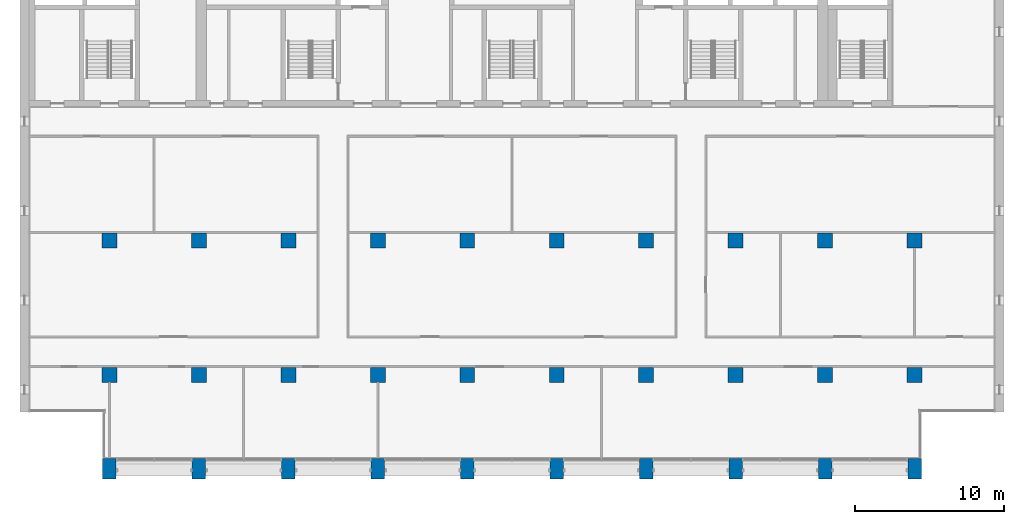
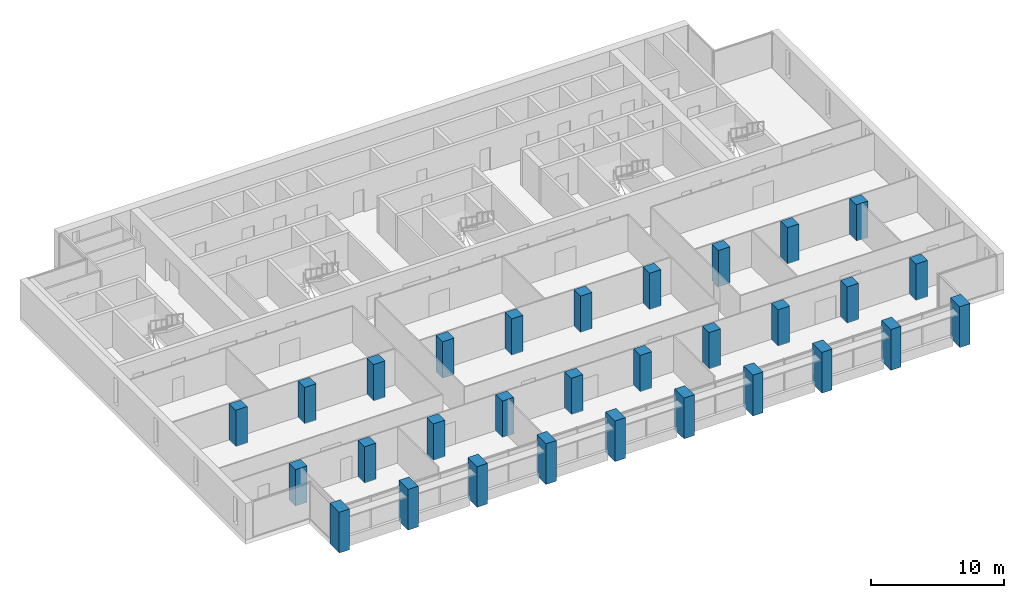
# One storey, part 1 of 17: 30 columns.
"""IFC4 building model written with IfcOpenShell, lengths in metres."""

from ifc_helpers import new_model, si_unit, direction, frame, origin, origin_2d, place, context, subcontext, project, spatial, rectangle, extrude, material, material_profile, profile_set, type_object, element, save


model = new_model("IFC4")

# Units and contexts
model_context = context("Model", 3, precision=1e-05, world=origin(), true_north=direction((0.0, 1.0)))
body_context = subcontext(model_context, "Body", "Model", "MODEL_VIEW")
ifc_project = project(units=[si_unit("LENGTHUNIT", "METRE"), si_unit("AREAUNIT", "SQUARE_METRE"), si_unit("VOLUMEUNIT", "CUBIC_METRE"), si_unit("PLANEANGLEUNIT", "RADIAN"), si_unit("MASSUNIT", "GRAM", prefix="KILO")], contexts=[model_context])

# Site, building, storey
site_placement = place(None, origin())
site = spatial("IfcSite", under=ifc_project, at=site_placement, CompositionType="ELEMENT")
building_placement = place(site_placement, origin())
building = spatial("IfcBuilding", under=site, at=building_placement, Name="Calvaro Tower", CompositionType="ELEMENT")
storey_placement = place(building_placement, frame((0.0, 0.0, 215.5)))
storey = spatial("IfcBuildingStorey", under=building, at=storey_placement, Name="L54", CompositionType="ELEMENT", Elevation=215.5)

# Columns
ifc_material_1 = material(Name="Concrete C50/60", Category="concrete")
ifc_material_profile_1 = material_profile(ifc_material_1, rectangle(XDim=1.0, YDim=1.0, at=origin_2d()), Name="RC 1000x1000")
ifc_profile_set_1 = profile_set([ifc_material_profile_1], Name="Concrete C50/60")
column_type_1 = type_object("IfcColumnType", Name="Column 1000x1000 C50/60", PredefinedType="COLUMN", material=ifc_profile_set_1)
for number, where, z_axis, x_axis, name in (
    (1, (12.0, 10.0, 0.0), (0.0, 0.0, 1.0), (1.0, 0.0, 0.0), "Column 3B"),
    (2, (12.0, 19.0, 0.0), (0.0, 0.0, 1.0), (1.0, 0.0, 0.0), "Column 3C"),
    (3, (18.0, 10.0, 0.0), (0.0, 0.0, 1.0), (1.0, 0.0, 0.0), "Column 4B"),
    (4, (18.0, 19.0, 0.0), (0.0, 0.0, 1.0), (1.0, 0.0, 0.0), "Column 4C"),
    (5, (24.0, 10.0, 0.0), (0.0, 0.0, 1.0), (1.0, 0.0, 0.0), "Column 5B"),
    (6, (24.0, 19.0, 0.0), (0.0, 0.0, 1.0), (1.0, 0.0, 0.0), "Column 5C"),
    (7, (30.0, 10.0, 0.0), (0.0, 0.0, 1.0), (1.0, 0.0, 0.0), "Column 6B"),
    (8, (30.0, 19.0, 0.0), (0.0, 0.0, 1.0), (1.0, 0.0, 0.0), "Column 6C"),
    (9, (36.0, 10.0, 0.0), (0.0, 0.0, 1.0), (1.0, 0.0, 0.0), "Column 7B"),
    (10, (36.0, 19.0, 0.0), (0.0, 0.0, 1.0), (1.0, 0.0, 0.0), "Column 7C"),
    (11, (42.0, 10.0, 0.0), (0.0, 0.0, 1.0), (1.0, 0.0, 0.0), "Column 8B"),
    (12, (42.0, 19.0, 0.0), (0.0, 0.0, 1.0), (1.0, 0.0, 0.0), "Column 8C"),
    (13, (48.0, 10.0, 0.0), (0.0, 0.0, 1.0), (1.0, 0.0, 0.0), "Column 9B"),
    (14, (48.0, 19.0, 0.0), (0.0, 0.0, 1.0), (1.0, 0.0, 0.0), "Column 9C"),
    (15, (54.0, 10.0, 0.0), (0.0, 0.0, 1.0), (1.0, 0.0, 0.0), "Column 10B"),
    (16, (54.0, 19.0, 0.0), (0.0, 0.0, 1.0), (1.0, 0.0, 0.0), "Column 10C"),
    (17, (60.0, 10.0, 0.0), (0.0, 0.0, 1.0), (1.0, 0.0, 0.0), "Column 11B"),
    (18, (60.0, 19.0, 0.0), (0.0, 0.0, 1.0), (1.0, 0.0, 0.0), "Column 11C"),
    (19, (66.0, 10.0, 0.0), (0.0, 0.0, 1.0), (1.0, 0.0, 0.0), "Column 12B"),
    (20, (66.0, 19.0, 0.0), (0.0, 0.0, 1.0), (1.0, 0.0, 0.0), "Column 12C"),
):
    element("IfcColumn", number, at=place(storey_placement, frame(where, z_axis=z_axis, x_axis=x_axis)), inside=storey, type_object=column_type_1, Name=name, PredefinedType="COLUMN", context=body_context, shape_type="SweptSolid", body=[
        extrude(rectangle(XDim=1.0, YDim=1.0, at=origin_2d()), origin(), (0.0, 0.0, 1.0), 3.35009765625),
    ])
ifc_material_2 = material(Name="Concrete C50/60", Category="concrete")
ifc_material_profile_2 = material_profile(ifc_material_2, rectangle(XDim=0.89990234375, YDim=1.39990234375, at=origin_2d()), Name="RC 900x1400")
ifc_profile_set_2 = profile_set([ifc_material_profile_2], Name="Concrete C50/60")
column_type_2 = type_object("IfcColumnType", Name="Pier 900x1400 C50/60", PredefinedType="COLUMN", material=ifc_profile_set_2)
for number, where, z_axis, x_axis, name in (
    (21, (12.0, 3.699951171875, -0.39990234375), (0.0, 0.0, 1.0), (1.0, 0.0, 0.0), "South pier 3"),
    (22, (18.0, 3.699951171875, -0.39990234375), (0.0, 0.0, 1.0), (1.0, 0.0, 0.0), "South pier 4"),
    (23, (24.0, 3.699951171875, -0.39990234375), (0.0, 0.0, 1.0), (1.0, 0.0, 0.0), "South pier 5"),
    (24, (30.0, 3.699951171875, -0.39990234375), (0.0, 0.0, 1.0), (1.0, 0.0, 0.0), "South pier 6"),
    (25, (36.0, 3.699951171875, -0.39990234375), (0.0, 0.0, 1.0), (1.0, 0.0, 0.0), "South pier 7"),
    (26, (42.0, 3.699951171875, -0.39990234375), (0.0, 0.0, 1.0), (1.0, 0.0, 0.0), "South pier 8"),
    (27, (48.0, 3.699951171875, -0.39990234375), (0.0, 0.0, 1.0), (1.0, 0.0, 0.0), "South pier 9"),
    (28, (54.0, 3.699951171875, -0.39990234375), (0.0, 0.0, 1.0), (1.0, 0.0, 0.0), "South pier 10"),
    (29, (60.0, 3.699951171875, -0.39990234375), (0.0, 0.0, 1.0), (1.0, 0.0, 0.0), "South pier 11"),
    (30, (66.0, 3.699951171875, -0.39990234375), (0.0, 0.0, 1.0), (1.0, 0.0, 0.0), "South pier 12"),
):
    element("IfcColumn", number, at=place(storey_placement, frame(where, z_axis=z_axis, x_axis=x_axis)), inside=storey, type_object=column_type_2, Name=name, PredefinedType="COLUMN", context=body_context, shape_type="SweptSolid", body=[
        extrude(rectangle(XDim=0.89990234375, YDim=1.39990234375, at=origin_2d()), origin(), (0.0, 0.0, 1.0), 3.75),
    ])

save(model, "model.ifc")
